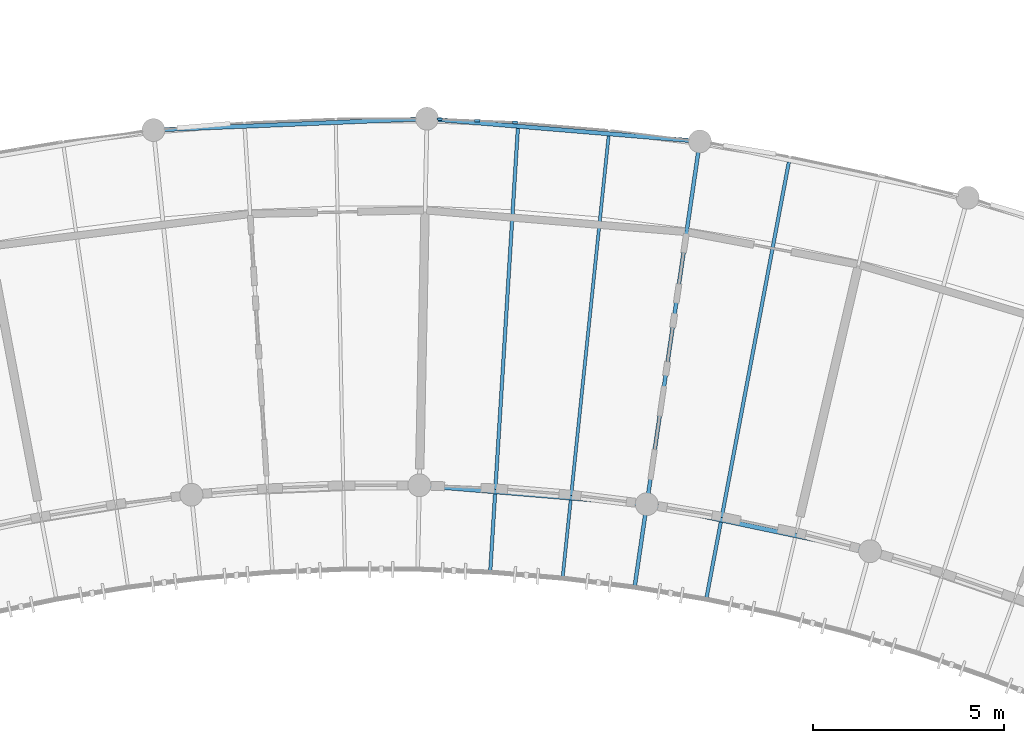
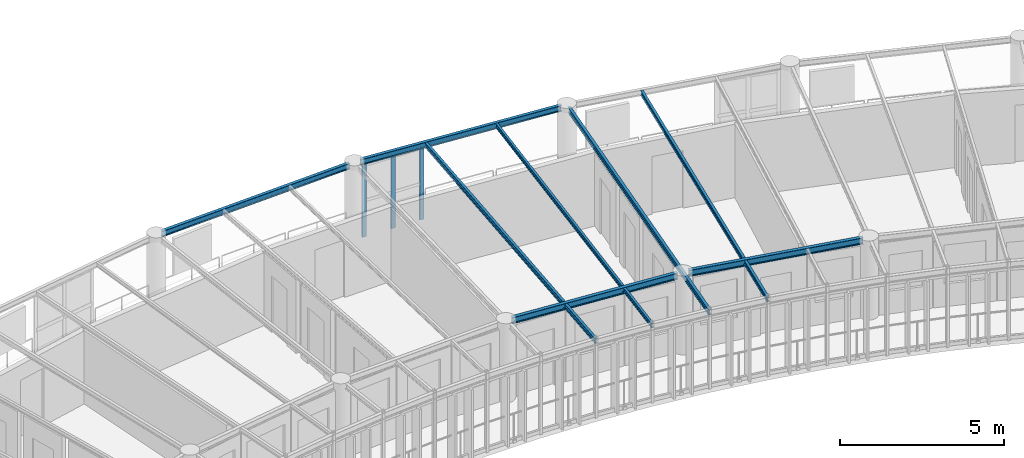
# One storey, part 35 of 100: 8 beams, 3 members, 1 element without a shape of its own.
"""IFC4 building model written with IfcOpenShell, lengths in metres."""

from ifc_helpers import new_model, si_unit, direction, frame, origin, origin_2d, place, context, subcontext, project, spatial, rectangle, i_section, extrude, material, layer, layer_set, material_profile, profile_set, type_object, element, aggregate, save


model = new_model("IFC4")

# Units and contexts
model_context = context("Model", 3, precision=1e-05, world=origin(), true_north=direction((0.0, 1.0)))
body_context = subcontext(model_context, "Body", "Model", "MODEL_VIEW")
ifc_project = project(units=[si_unit("LENGTHUNIT", "METRE"), si_unit("AREAUNIT", "SQUARE_METRE"), si_unit("VOLUMEUNIT", "CUBIC_METRE"), si_unit("PLANEANGLEUNIT", "RADIAN"), si_unit("MASSUNIT", "GRAM", prefix="KILO"), si_unit("POWERUNIT", "WATT"), si_unit("THERMODYNAMICTEMPERATUREUNIT", "KELVIN")], contexts=[model_context])

# Site, building, storey
site_placement = place(None, origin())
site = spatial("IfcSite", under=ifc_project, at=site_placement, CompositionType="ELEMENT")
building_placement = place(site_placement, origin())
building = spatial("IfcBuilding", under=site, at=building_placement, Name="Ruvembo Vaulted Housing Court", CompositionType="ELEMENT")
storey_placement = place(building_placement, frame((0.0, 0.0, 14.10009765625)))
storey = spatial("IfcBuildingStorey", under=building, at=storey_placement, Name="L04", CompositionType="ELEMENT", Elevation=14.10009765625)

# Beams
ifc_material_1 = material(Name="Steel S355J2", Category="steel")
ifc_material_profile_1 = material_profile(ifc_material_1, i_section(OverallWidth=0.08203125, OverallDepth=0.159912109375, WebThickness=0.0048828125, FlangeThickness=0.00732421875, FilletRadius=0.009033203125, at=origin_2d()), Name="IPE 160")
ifc_profile_set_1 = profile_set([ifc_material_profile_1], Name="Steel S355J2")
beam_type_1 = type_object("IfcBeamType", Name="BM-ST-IPE160", PredefinedType="JOIST", material=ifc_profile_set_1)
beam_1_placement = place(storey_placement, frame((122.951416015625, 107.1416015625, 2.85986328125), z_axis=(-0.103603071439, -0.994618722722, 0.0), x_axis=(0.994618722722, -0.103603071439, 0.0)))
element("IfcBeam", 1, at=beam_1_placement, inside=storey, type_object=beam_type_1, Name="Scoop SC3 L04 Radial Steel Joist 17", PredefinedType="JOIST", context=body_context, shape_type="SweptSolid", body=[
    extrude(i_section(OverallWidth=0.08203125, OverallDepth=0.159912109375, WebThickness=0.0048828125, FlangeThickness=0.00732421875, FilletRadius=0.009033203125, at=origin_2d()), origin(), (0.0, 0.0, 1.0), 11.690673828125),
])
ifc_material_profile_2 = material_profile(ifc_material_1, i_section(OverallWidth=0.091064453125, OverallDepth=0.179931640625, WebThickness=0.00537109375, FlangeThickness=0.008056640625, FilletRadius=0.009033203125, at=origin_2d()), Name="IPE 180")
ifc_profile_set_2 = profile_set([ifc_material_profile_2], Name="Steel S355J2")
beam_type_2 = type_object("IfcBeamType", Name="BM-ST-IPE180", PredefinedType="JOIST", material=ifc_profile_set_2)
for number, where, z_axis, x_axis, name in (
    (2, (120.574951171875, 107.33935546875, 2.849853515625), (-0.062232670177, -0.998061668817, 0.0), (0.998061668817, -0.062232670177, 0.0), "Scoop SC3 L04 Radial Steel Joist 16"),
    (3, (127.66943359375, 106.451416015625, 2.849853515625), (-0.185715658809, -0.982603528425, 0.0), (0.982603528425, -0.185715658809, 0.0), "Scoop SC3 L04 Radial Steel Joist 19"),
):
    element("IfcBeam", number, at=place(storey_placement, frame(where, z_axis=z_axis, x_axis=x_axis)), inside=storey, type_object=beam_type_2, Name=name, PredefinedType="JOIST", context=body_context, shape_type="SweptSolid", body=[
        extrude(i_section(OverallWidth=0.091064453125, OverallDepth=0.179931640625, WebThickness=0.00537109375, FlangeThickness=0.008056640625, FilletRadius=0.009033203125, at=origin_2d()), origin(), (0.0, 0.0, 1.0), 11.690673828125),
    ])
ifc_material_profile_3 = material_profile(ifc_material_1, i_section(OverallWidth=0.10009765625, OverallDepth=0.199951171875, WebThickness=0.005615234375, FlangeThickness=0.008544921875, FilletRadius=0.011962890625, at=origin_2d()), Name="IPE 200")
ifc_profile_set_3 = profile_set([ifc_material_profile_3], Name="Steel S355J2")
beam_type_3 = type_object("IfcBeamType", Name="BM-ST-IPE200", PredefinedType="BEAM", material=ifc_profile_set_3)
beam_2_placement = place(storey_placement, frame((125.3115234375, 106.80517578125, 2.83984375), z_axis=(-0.144765152208, -0.989466043231, 0.0), x_axis=(0.989466043231, -0.144765152208, 0.0)))
element("IfcBeam", 4, at=beam_2_placement, inside=storey, type_object=beam_type_3, Name="Scoop SC3 L04 Radial Steel Joist 18", PredefinedType="BEAM", context=body_context, shape_type="SweptSolid", body=[
    extrude(i_section(OverallWidth=0.10009765625, OverallDepth=0.199951171875, WebThickness=0.005615234375, FlangeThickness=0.008544921875, FilletRadius=0.011962890625, at=origin_2d()), origin(), (0.0, 0.0, 1.0), 11.650146484375),
])
ifc_material_profile_4 = material_profile(ifc_material_1, i_section(OverallWidth=0.110107421875, OverallDepth=0.219970703125, WebThickness=0.005859375, FlangeThickness=0.00927734375, FilletRadius=0.011962890625, at=origin_2d()), Name="IPE 220")
ifc_profile_set_4 = profile_set([ifc_material_profile_4], Name="Steel S355J2")
beam_type_4 = type_object("IfcBeamType", Name="BM-ST-IPE220", PredefinedType="SPANDREL", material=ifc_profile_set_4)
for number, where, z_axis, x_axis, name in (
    (5, (111.222900390625, 107.298095703125, 2.831787109375), (0.999139915683, 0.041465996789, 0.0), (-0.041465996789, 0.999139915683, 0.0), "Scoop SC3 L04 Chord Girder B12"),
    (6, (118.384765625, 107.57177734375, 2.831787109375), (0.996558148459, -0.082896663017, 0.0), (0.082896663017, 0.996558148459, 0.0), "Scoop SC3 L04 Chord Girder B15"),
):
    element("IfcBeam", number, at=place(storey_placement, frame(where, z_axis=z_axis, x_axis=x_axis)), inside=storey, type_object=beam_type_4, Name=name, PredefinedType="SPANDREL", context=body_context, shape_type="SweptSolid", body=[
        extrude(i_section(OverallWidth=0.110107421875, OverallDepth=0.219970703125, WebThickness=0.005859375, FlangeThickness=0.00927734375, FilletRadius=0.011962890625, at=origin_2d()), origin(), (0.0, 0.0, 1.0), 6.78857421875),
    ])
ifc_material_profile_5 = material_profile(ifc_material_1, i_section(OverallWidth=0.1201171875, OverallDepth=0.239990234375, WebThickness=0.006103515625, FlangeThickness=0.009765625, FilletRadius=0.014892578125, at=origin_2d()), Name="IPE 240")
ifc_profile_set_5 = profile_set([ifc_material_profile_5], Name="Steel S355J2")
beam_type_5 = type_object("IfcBeamType", Name="BM-ST-IPE240", PredefinedType="BEAM", material=ifc_profile_set_5)
for number, where, z_axis, x_axis, name in (
    (7, (118.185546875, 97.973876953125, 2.822021484375), (0.99655568421, -0.082926282135, 0.0), (0.082926282135, 0.99655568421, 0.0), "Scoop SC3 L04 Chord Girder F15"),
    (8, (124.13525390625, 97.455078125, 2.822021484375), (0.978540985452, -0.206052274412, 0.0), (0.206052274412, 0.978540985452, 0.0), "Scoop SC3 L04 Chord Girder F18"),
):
    element("IfcBeam", number, at=place(storey_placement, frame(where, z_axis=z_axis, x_axis=x_axis)), inside=storey, type_object=beam_type_5, Name=name, PredefinedType="BEAM", context=body_context, shape_type="SweptSolid", body=[
        extrude(i_section(OverallWidth=0.1201171875, OverallDepth=0.239990234375, WebThickness=0.006103515625, FlangeThickness=0.009765625, FilletRadius=0.014892578125, at=origin_2d()), origin(), (0.0, 0.0, 1.0), 5.59375),
    ])

# Curtain wall, members
ifc_material_2 = material(Name="Anodised Aluminium and Solar-Control Glass", Category="aluminium")
ifc_layer = layer(ifc_material_2, 0.1201171875, Name="Anodised Aluminium and Solar-Control Glass")
ifc_layer_set = layer_set([ifc_layer], Name="Anodised Aluminium and Solar-Control Glass")
curtain_wall_type = type_object("IfcCurtainWallType", Name="CW-SCOOP-GAL", PredefinedType="NOTDEFINED", material=ifc_layer_set)
curtain_wall_placement = place(storey_placement, origin())
curtain_wall = element("IfcCurtainWall", 9, at=curtain_wall_placement, inside=storey, type_object=curtain_wall_type, Name="L04 Curtain Wall CW-L04-0080", PredefinedType="NOTDEFINED")
ifc_material_3 = material(Name="Anodised Aluminium 6063-T6", Category="aluminium")
ifc_material_profile_6 = material_profile(ifc_material_3, rectangle(XDim=0.06005859375, YDim=0.139892578125, at=origin_2d()), Name="ALU 60x140")
ifc_profile_set_6 = profile_set([ifc_material_profile_6], Name="Anodised Aluminium 6063-T6")
member_type = type_object("IfcMemberType", Name="CW-MUL-60x140", PredefinedType="MULLION", material=ifc_profile_set_6)
member_1_placement = place(storey_placement, frame((118.525146484375, 107.573974609375, 0.0), z_axis=(0.0, 0.0, 1.0), x_axis=(0.041502144927, 0.999138414819, 0.0)))
member_1 = element("IfcMember", 10, at=member_1_placement, type_object=member_type, Name="CW6 mullion 1", PredefinedType="MULLION", context=body_context, shape_type="SweptSolid", body=[
    extrude(rectangle(XDim=0.06005859375, YDim=0.139892578125, at=origin_2d()), origin(), (0.0, 0.0, 1.0), 2.697998046875),
])
member_2_placement = place(storey_placement, frame((119.5146484375, 107.532958984375, 0.0), z_axis=(0.0, 0.0, 1.0), x_axis=(0.041502144927, 0.999138414819, 0.0)))
member_2 = element("IfcMember", 11, at=member_2_placement, type_object=member_type, Name="CW6 mullion 2", PredefinedType="MULLION", context=body_context, shape_type="SweptSolid", body=[
    extrude(rectangle(XDim=0.06005859375, YDim=0.139892578125, at=origin_2d()), origin(), (0.0, 0.0, 1.0), 2.697998046875),
])
member_3_placement = place(storey_placement, frame((120.504150390625, 107.49169921875, 0.0), z_axis=(0.0, 0.0, 1.0), x_axis=(0.041502144927, 0.999138414819, 0.0)))
member_3 = element("IfcMember", 12, at=member_3_placement, type_object=member_type, Name="CW6 mullion 3", PredefinedType="MULLION", context=body_context, shape_type="SweptSolid", body=[
    extrude(rectangle(XDim=0.06005859375, YDim=0.139892578125, at=origin_2d()), origin(), (0.0, 0.0, 1.0), 2.697998046875),
])
aggregate(curtain_wall, [member_1, member_2, member_3])

save(model, "model.ifc")
